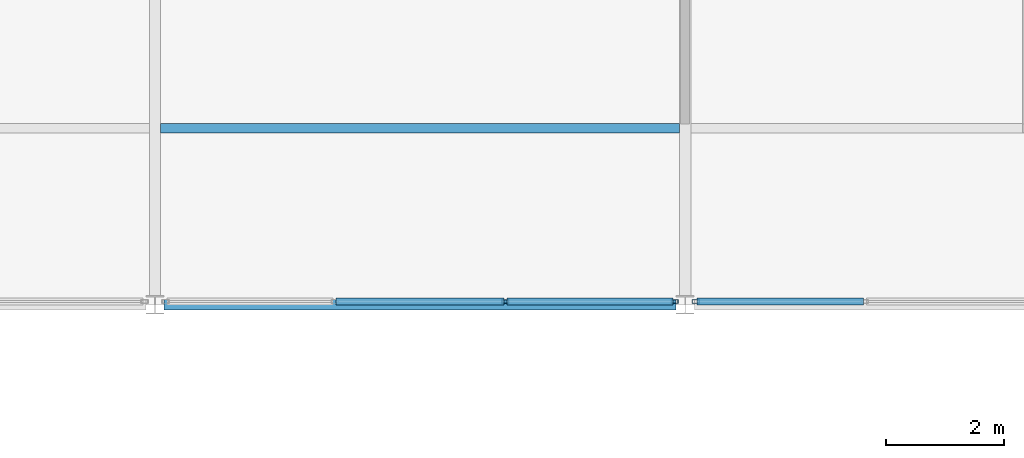
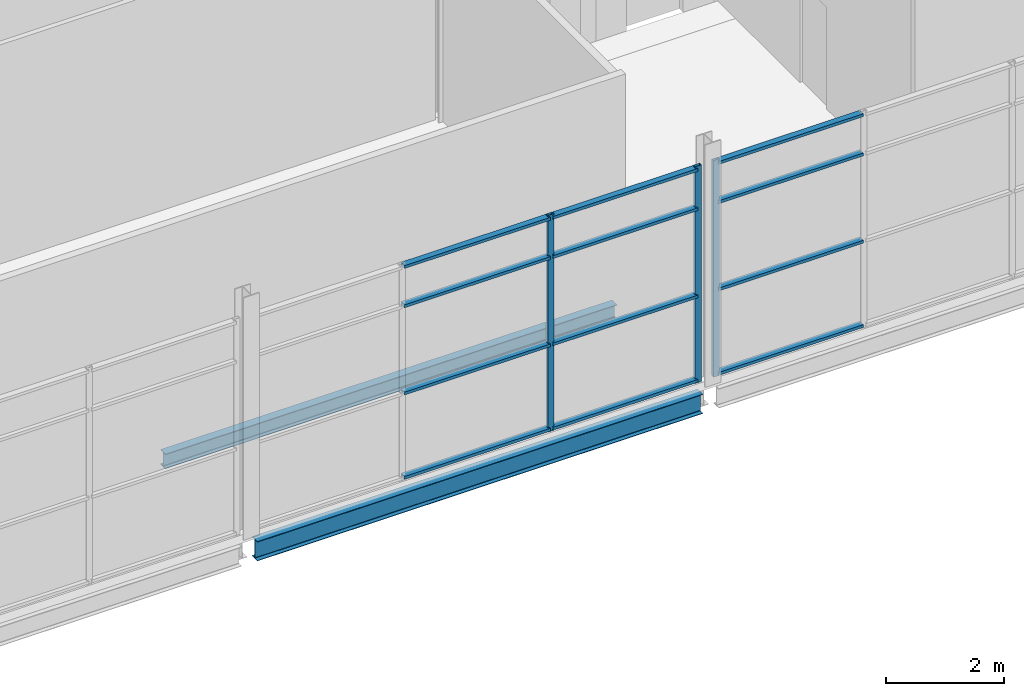
# One storey, part 39 of 61: 15 members, 2 beams, 2 elements without a shape of their own.
"""IFC4 building model written with IfcOpenShell, lengths in metres."""

from ifc_helpers import new_model, si_unit, direction, frame, origin, origin_2d, place, context, subcontext, project, spatial, hollow_rectangle, i_section, extrude, material, layer, layer_set, material_profile, profile_set, type_object, element, aggregate, save


model = new_model("IFC4")

# Units and contexts
model_context = context("Model", 3, precision=1e-05, world=origin(), true_north=direction((0.0, 1.0)))
body_context = subcontext(model_context, "Body", "Model", "MODEL_VIEW")
ifc_project = project(units=[si_unit("LENGTHUNIT", "METRE"), si_unit("AREAUNIT", "SQUARE_METRE"), si_unit("VOLUMEUNIT", "CUBIC_METRE"), si_unit("PLANEANGLEUNIT", "RADIAN"), si_unit("MASSUNIT", "GRAM", prefix="KILO")], contexts=[model_context])

# Site, building, storey
site_placement = place(None, origin())
site = spatial("IfcSite", under=ifc_project, at=site_placement, CompositionType="ELEMENT")
building_placement = place(site_placement, origin())
building = spatial("IfcBuilding", under=site, at=building_placement, Name="Shorebreak Coast Museum", CompositionType="ELEMENT")
storey_placement = place(building_placement, frame((0.0, 0.0, 26.0)))
storey = spatial("IfcBuildingStorey", under=building, at=storey_placement, Name="L04", CompositionType="ELEMENT", Elevation=26.0)

# Beams
ifc_material_1 = material(Name="Steel Grade 300", Category="steel")
ifc_material_profile_1 = material_profile(ifc_material_1, i_section(OverallWidth=0.177978515625, OverallDepth=0.402587890625, WebThickness=0.007568359375, FlangeThickness=0.010986328125, FilletRadius=0.011474609375, at=origin_2d()), Name="410UB53.7")
ifc_profile_set_1 = profile_set([ifc_material_profile_1], Name="Steel Grade 300")
beam_type_1 = type_object("IfcBeamType", Name="Floor girder east-west 410UB53.7", PredefinedType="BEAM", material=ifc_profile_set_1)
beam_1_placement = place(storey_placement, frame((90.154541015625, 81.0, -0.376220703125), z_axis=(1.0, 0.0, 0.0), x_axis=(0.0, 1.0, 0.0)))
element("IfcBeam", 1, at=beam_1_placement, inside=storey, type_object=beam_type_1, Name="Floor girder east-west L04 11K", PredefinedType="BEAM", context=body_context, shape_type="SweptSolid", body=[
    extrude(i_section(OverallWidth=0.177978515625, OverallDepth=0.402587890625, WebThickness=0.007568359375, FlangeThickness=0.010986328125, FilletRadius=0.011474609375, at=origin_2d()), origin(), (0.0, 0.0, 1.0), 8.69091796875),
])
ifc_material_2 = material(Name="Steel Grade 300", Category="steel")
ifc_material_profile_2 = material_profile(ifc_material_2, i_section(OverallWidth=0.1650390625, OverallDepth=0.303955078125, WebThickness=0.006103515625, FlangeThickness=0.01025390625, FilletRadius=0.011474609375, at=origin_2d()), Name="310UB40.4")
ifc_profile_set_2 = profile_set([ifc_material_profile_2], Name="Steel Grade 300")
beam_type_2 = type_object("IfcBeamType", Name="Floor joist 310UB40.4", PredefinedType="JOIST", material=ifc_profile_set_2)
beam_2_placement = place(storey_placement, frame((90.094970703125, 84.0, -0.326904296875), z_axis=(1.0, 0.0, 0.0), x_axis=(0.0, 1.0, 0.0)))
element("IfcBeam", 2, at=beam_2_placement, inside=storey, type_object=beam_type_2, Name="Floor joist L04 bay 11K at 3000 mm", PredefinedType="JOIST", context=body_context, shape_type="SweptSolid", body=[
    extrude(i_section(OverallWidth=0.1650390625, OverallDepth=0.303955078125, WebThickness=0.006103515625, FlangeThickness=0.01025390625, FilletRadius=0.011474609375, at=origin_2d()), origin(), (0.0, 0.0, 1.0), 8.81005859375),
])

# Curtain wall, members
ifc_material_3 = material(Name="Aluminium", Category="aluminium")
ifc_layer = layer(ifc_material_3, 0.1201171875)
ifc_layer_set = layer_set([ifc_layer], Name="Aluminium")
curtain_wall_type = type_object("IfcCurtainWallType", Name="Atrium fire screen", PredefinedType="NOTDEFINED", material=ifc_layer_set)
curtain_wall_1_placement = place(storey_placement, origin())
curtain_wall_1 = element("IfcCurtainWall", 3, at=curtain_wall_1_placement, inside=storey, type_object=curtain_wall_type, Name="Atrium screen L04 N 57", PredefinedType="NOTDEFINED")
ifc_material_4 = material(Name="Aluminium", Category="aluminium")
ifc_material_profile_3 = material_profile(ifc_material_4, hollow_rectangle(XDim=0.06005859375, YDim=0.1201171875, WallThickness=0.00341796875, at=origin_2d()), Name="AL 120x60 RHS")
ifc_profile_set_3 = profile_set([ifc_material_profile_3], Name="Aluminium")
member_type_1 = type_object("IfcMemberType", Name="Screen mullion 50 x 120", PredefinedType="MULLION", material=ifc_profile_set_3)
member_1_placement = place(storey_placement, frame((95.94873046875, 81.06005859375, 0.0), z_axis=(0.0, 0.0, 1.0), x_axis=(0.0, 1.0, 0.0)))
member_1 = element("IfcMember", 4, at=member_1_placement, type_object=member_type_1, Name="CW4 mullion 3", PredefinedType="MULLION", context=body_context, shape_type="SweptSolid", body=[
    extrude(hollow_rectangle(XDim=0.06005859375, YDim=0.1201171875, WallThickness=0.00341796875, at=origin_2d()), origin(), (0.0, 0.0, 1.0), 4.469482421875),
])
member_2_placement = place(storey_placement, frame((98.821533203125, 81.06005859375, 0.0), z_axis=(0.0, 0.0, 1.0), x_axis=(0.0, 1.0, 0.0)))
member_2 = element("IfcMember", 5, at=member_2_placement, type_object=member_type_1, Name="CW4 mullion 4", PredefinedType="MULLION", context=body_context, shape_type="SweptSolid", body=[
    extrude(hollow_rectangle(XDim=0.06005859375, YDim=0.1201171875, WallThickness=0.00341796875, at=origin_2d()), origin(), (0.0, 0.0, 1.0), 4.469482421875),
])

# Curtain wall, member
curtain_wall_2_placement = place(storey_placement, origin())
curtain_wall_2 = element("IfcCurtainWall", 6, at=curtain_wall_2_placement, inside=storey, type_object=curtain_wall_type, Name="Atrium screen L04 N 58", PredefinedType="NOTDEFINED")
member_3_placement = place(storey_placement, frame((99.178466796875, 81.06005859375, 0.0), z_axis=(0.0, 0.0, 1.0), x_axis=(0.0, 1.0, 0.0)))
member_3 = element("IfcMember", 7, at=member_3_placement, type_object=member_type_1, Name="CW5 mullion 1", PredefinedType="MULLION", context=body_context, shape_type="SweptSolid", body=[
    extrude(hollow_rectangle(XDim=0.06005859375, YDim=0.1201171875, WallThickness=0.00341796875, at=origin_2d()), origin(), (0.0, 0.0, 1.0), 4.469482421875),
])

# Member
ifc_material_5 = material(Name="Aluminium", Category="aluminium")
ifc_material_profile_4 = material_profile(ifc_material_5, hollow_rectangle(XDim=0.1201171875, YDim=0.06005859375, WallThickness=0.00341796875, at=origin_2d()), Name="AL 60x120 RHS")
ifc_profile_set_4 = profile_set([ifc_material_profile_4], Name="Aluminium")
member_type_2 = type_object("IfcMemberType", Name="Screen transom 120 x 50", PredefinedType="USERDEFINED", material=ifc_profile_set_4)
member_4_placement = place(storey_placement, frame((93.076171875, 81.06005859375, 0.06005859375), z_axis=(1.0, 0.0, 0.0), x_axis=(0.0, 1.0, 0.0)))
member_4 = element("IfcMember", 8, at=member_4_placement, type_object=member_type_2, Name="CW4 transom 2.1", ObjectType="TRANSOM", PredefinedType="USERDEFINED", context=body_context, shape_type="SweptSolid", body=[
    extrude(hollow_rectangle(XDim=0.1201171875, YDim=0.06005859375, WallThickness=0.00341796875, at=origin_2d()), origin(), (0.0, 0.0, 1.0), 2.84765625),
])

member_5_placement = place(storey_placement, frame((93.076171875, 81.06005859375, 1.800048828125), z_axis=(1.0, 0.0, 0.0), x_axis=(0.0, 1.0, 0.0)))
member_5 = element("IfcMember", 9, at=member_5_placement, type_object=member_type_2, Name="CW4 transom 2.2", ObjectType="TRANSOM", PredefinedType="USERDEFINED", context=body_context, shape_type="SweptSolid", body=[
    extrude(hollow_rectangle(XDim=0.1201171875, YDim=0.06005859375, WallThickness=0.00341796875, at=origin_2d()), origin(), (0.0, 0.0, 1.0), 2.84765625),
])

member_6_placement = place(storey_placement, frame((93.076171875, 81.06005859375, 3.60009765625), z_axis=(1.0, 0.0, 0.0), x_axis=(0.0, 1.0, 0.0)))
member_6 = element("IfcMember", 10, at=member_6_placement, type_object=member_type_2, Name="CW4 transom 2.3", ObjectType="TRANSOM", PredefinedType="USERDEFINED", context=body_context, shape_type="SweptSolid", body=[
    extrude(hollow_rectangle(XDim=0.1201171875, YDim=0.06005859375, WallThickness=0.00341796875, at=origin_2d()), origin(), (0.0, 0.0, 1.0), 2.84765625),
])

member_7_placement = place(storey_placement, frame((93.076171875, 81.06005859375, 4.409423828125), z_axis=(1.0, 0.0, 0.0), x_axis=(0.0, 1.0, 0.0)))
member_7 = element("IfcMember", 11, at=member_7_placement, type_object=member_type_2, Name="CW4 transom 2.4", ObjectType="TRANSOM", PredefinedType="USERDEFINED", context=body_context, shape_type="SweptSolid", body=[
    extrude(hollow_rectangle(XDim=0.1201171875, YDim=0.06005859375, WallThickness=0.00341796875, at=origin_2d()), origin(), (0.0, 0.0, 1.0), 2.84765625),
])

member_8_placement = place(storey_placement, frame((95.973876953125, 81.06005859375, 0.06005859375), z_axis=(1.0, 0.0, 0.0), x_axis=(0.0, 1.0, 0.0)))
member_8 = element("IfcMember", 12, at=member_8_placement, type_object=member_type_2, Name="CW4 transom 3.1", ObjectType="TRANSOM", PredefinedType="USERDEFINED", context=body_context, shape_type="SweptSolid", body=[
    extrude(hollow_rectangle(XDim=0.1201171875, YDim=0.06005859375, WallThickness=0.00341796875, at=origin_2d()), origin(), (0.0, 0.0, 1.0), 2.822509765625),
])

member_9_placement = place(storey_placement, frame((95.973876953125, 81.06005859375, 1.800048828125), z_axis=(1.0, 0.0, 0.0), x_axis=(0.0, 1.0, 0.0)))
member_9 = element("IfcMember", 13, at=member_9_placement, type_object=member_type_2, Name="CW4 transom 3.2", ObjectType="TRANSOM", PredefinedType="USERDEFINED", context=body_context, shape_type="SweptSolid", body=[
    extrude(hollow_rectangle(XDim=0.1201171875, YDim=0.06005859375, WallThickness=0.00341796875, at=origin_2d()), origin(), (0.0, 0.0, 1.0), 2.822509765625),
])

member_10_placement = place(storey_placement, frame((95.973876953125, 81.06005859375, 3.60009765625), z_axis=(1.0, 0.0, 0.0), x_axis=(0.0, 1.0, 0.0)))
member_10 = element("IfcMember", 14, at=member_10_placement, type_object=member_type_2, Name="CW4 transom 3.3", ObjectType="TRANSOM", PredefinedType="USERDEFINED", context=body_context, shape_type="SweptSolid", body=[
    extrude(hollow_rectangle(XDim=0.1201171875, YDim=0.06005859375, WallThickness=0.00341796875, at=origin_2d()), origin(), (0.0, 0.0, 1.0), 2.822509765625),
])

member_11_placement = place(storey_placement, frame((95.973876953125, 81.06005859375, 4.409423828125), z_axis=(1.0, 0.0, 0.0), x_axis=(0.0, 1.0, 0.0)))
member_11 = element("IfcMember", 15, at=member_11_placement, type_object=member_type_2, Name="CW4 transom 3.4", ObjectType="TRANSOM", PredefinedType="USERDEFINED", context=body_context, shape_type="SweptSolid", body=[
    extrude(hollow_rectangle(XDim=0.1201171875, YDim=0.06005859375, WallThickness=0.00341796875, at=origin_2d()), origin(), (0.0, 0.0, 1.0), 2.822509765625),
])

aggregate(curtain_wall_1, [member_1, member_2, member_4, member_5, member_6, member_7, member_8, member_9, member_10, member_11])

member_12_placement = place(storey_placement, frame((99.20361328125, 81.06005859375, 0.06005859375), z_axis=(1.0, 0.0, 0.0), x_axis=(0.0, 1.0, 0.0)))
member_12 = element("IfcMember", 16, at=member_12_placement, type_object=member_type_2, Name="CW5 transom 1.1", ObjectType="TRANSOM", PredefinedType="USERDEFINED", context=body_context, shape_type="SweptSolid", body=[
    extrude(hollow_rectangle(XDim=0.1201171875, YDim=0.06005859375, WallThickness=0.00341796875, at=origin_2d()), origin(), (0.0, 0.0, 1.0), 2.822509765625),
])

member_13_placement = place(storey_placement, frame((99.20361328125, 81.06005859375, 1.800048828125), z_axis=(1.0, 0.0, 0.0), x_axis=(0.0, 1.0, 0.0)))
member_13 = element("IfcMember", 17, at=member_13_placement, type_object=member_type_2, Name="CW5 transom 1.2", ObjectType="TRANSOM", PredefinedType="USERDEFINED", context=body_context, shape_type="SweptSolid", body=[
    extrude(hollow_rectangle(XDim=0.1201171875, YDim=0.06005859375, WallThickness=0.00341796875, at=origin_2d()), origin(), (0.0, 0.0, 1.0), 2.822509765625),
])

member_14_placement = place(storey_placement, frame((99.20361328125, 81.06005859375, 3.60009765625), z_axis=(1.0, 0.0, 0.0), x_axis=(0.0, 1.0, 0.0)))
member_14 = element("IfcMember", 18, at=member_14_placement, type_object=member_type_2, Name="CW5 transom 1.3", ObjectType="TRANSOM", PredefinedType="USERDEFINED", context=body_context, shape_type="SweptSolid", body=[
    extrude(hollow_rectangle(XDim=0.1201171875, YDim=0.06005859375, WallThickness=0.00341796875, at=origin_2d()), origin(), (0.0, 0.0, 1.0), 2.822509765625),
])

member_15_placement = place(storey_placement, frame((99.20361328125, 81.06005859375, 4.409423828125), z_axis=(1.0, 0.0, 0.0), x_axis=(0.0, 1.0, 0.0)))
member_15 = element("IfcMember", 19, at=member_15_placement, type_object=member_type_2, Name="CW5 transom 1.4", ObjectType="TRANSOM", PredefinedType="USERDEFINED", context=body_context, shape_type="SweptSolid", body=[
    extrude(hollow_rectangle(XDim=0.1201171875, YDim=0.06005859375, WallThickness=0.00341796875, at=origin_2d()), origin(), (0.0, 0.0, 1.0), 2.822509765625),
])

aggregate(curtain_wall_2, [member_3, member_12, member_13, member_14, member_15])

save(model, "model.ifc")
